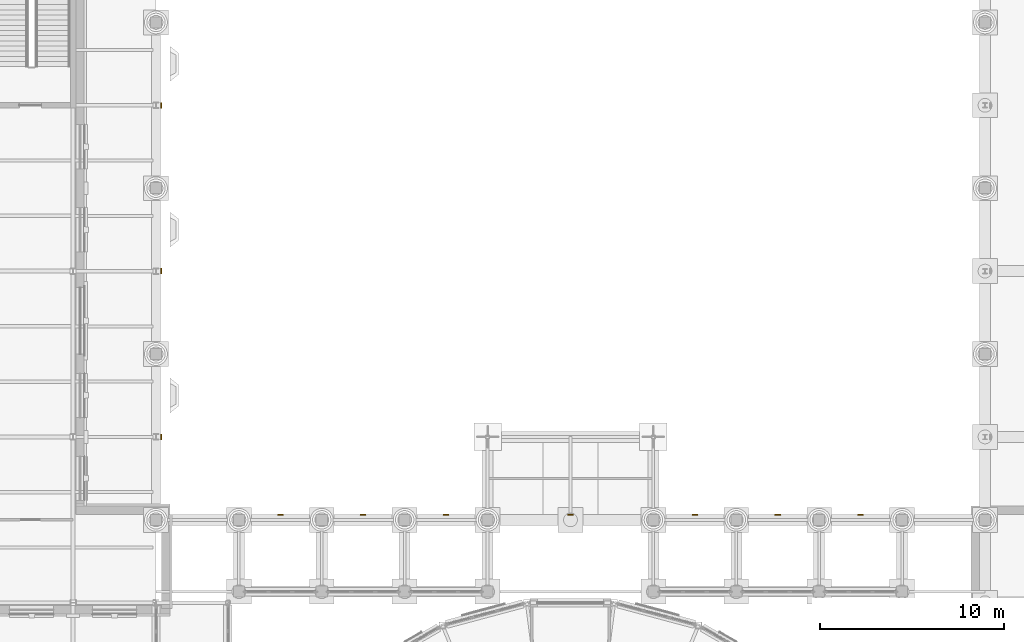
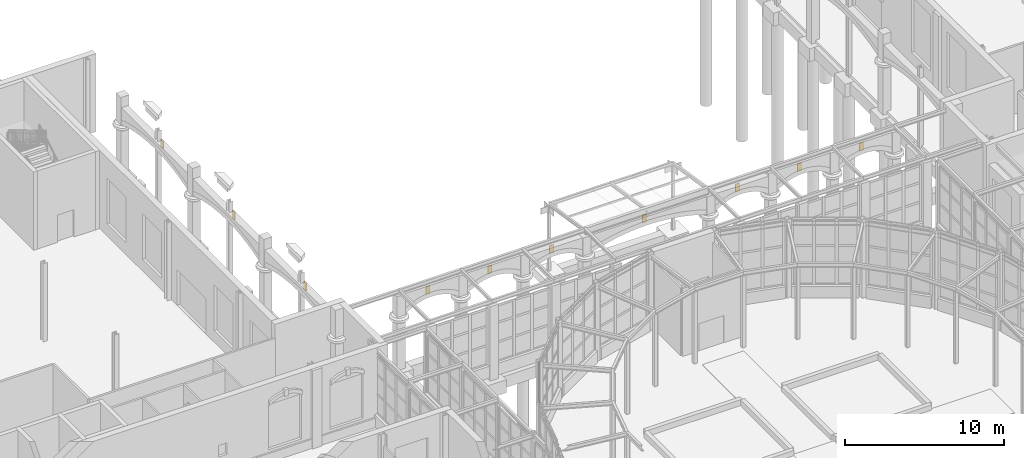
# One storey, part 103 of 106: 10 coverings.
"""IFC4 building model written with IfcOpenShell, lengths in metres."""

from ifc_helpers import new_model, si_unit, direction, frame, origin, origin_2d, place, context, subcontext, project, spatial, rectangle, extrude, material, layer, layer_set, type_object, element, save


model = new_model("IFC4")

# Units and contexts
model_context = context("Model", 3, precision=1e-05, world=origin(), true_north=direction((0.0, 1.0)))
body_context = subcontext(model_context, "Body", "Model", "MODEL_VIEW")
ifc_project = project(units=[si_unit("LENGTHUNIT", "METRE"), si_unit("AREAUNIT", "SQUARE_METRE"), si_unit("VOLUMEUNIT", "CUBIC_METRE"), si_unit("PLANEANGLEUNIT", "RADIAN"), si_unit("MASSUNIT", "GRAM", prefix="KILO")], contexts=[model_context])

# Site, building, storey
site_placement = place(None, origin())
site = spatial("IfcSite", under=ifc_project, at=site_placement, CompositionType="ELEMENT")
building_placement = place(site_placement, origin())
building = spatial("IfcBuilding", under=site, at=building_placement, Name="Hortulan Conservatory and Botanical Research Centre", CompositionType="ELEMENT")
storey_placement = place(building_placement, origin())
storey = spatial("IfcBuildingStorey", under=building, at=storey_placement, Name="L00", CompositionType="ELEMENT", Elevation=0.0)

# Coverings
ifc_material = material(Name="Sandstone masonry (Hawkesbury yellow block)", Category="masonry")
ifc_layer = layer(ifc_material, 0.06005859375)
ifc_layer_set = layer_set([ifc_layer], Name="Sandstone Keystone 300x600")
covering_type = type_object("IfcCoveringType", Name="Sandstone Keystone 300x600", PredefinedType="CLADDING", material=ifc_layer_set)
for number, where, z_axis, x_axis, name in (
    (1, (38.25, 40.780029296875, 4.474853515625), (0.0, 0.0, 1.0), (1.0, 0.0, 0.0), "Keystone"),
    (2, (42.75, 40.780029296875, 4.474853515625), (0.0, 0.0, 1.0), (1.0, 0.0, 0.0), "Keystone"),
    (3, (47.25, 40.780029296875, 4.474853515625), (0.0, 0.0, 1.0), (1.0, 0.0, 0.0), "Keystone"),
    (4, (54.0, 40.780029296875, 4.474853515625), (0.0, 0.0, 1.0), (1.0, 0.0, 0.0), "Keystone"),
    (5, (60.75, 40.780029296875, 4.474853515625), (0.0, 0.0, 1.0), (1.0, 0.0, 0.0), "Keystone"),
    (6, (65.25, 40.780029296875, 4.474853515625), (0.0, 0.0, 1.0), (1.0, 0.0, 0.0), "Keystone"),
    (7, (69.75, 40.780029296875, 4.474853515625), (0.0, 0.0, 1.0), (1.0, 0.0, 0.0), "Keystone"),
    (8, (31.780029296875, 45.0, 4.474853515625), (0.0, 0.0, 1.0), (0.0, 1.0, 0.0), "Keystone"),
    (9, (31.780029296875, 54.0, 4.474853515625), (0.0, 0.0, 1.0), (0.0, 1.0, 0.0), "Keystone"),
    (10, (31.780029296875, 63.0, 4.474853515625), (0.0, 0.0, 1.0), (0.0, 1.0, 0.0), "Keystone"),
):
    element("IfcCovering", number, at=place(storey_placement, frame(where, z_axis=z_axis, x_axis=x_axis)), inside=storey, type_object=covering_type, Name=name, PredefinedType="CLADDING", context=body_context, shape_type="SweptSolid", body=[
        extrude(rectangle(XDim=0.300048828125, YDim=0.06005859375, at=origin_2d()), origin(), (0.0, 0.0, 1.0), 0.60009765625),
    ])

save(model, "model.ifc")
